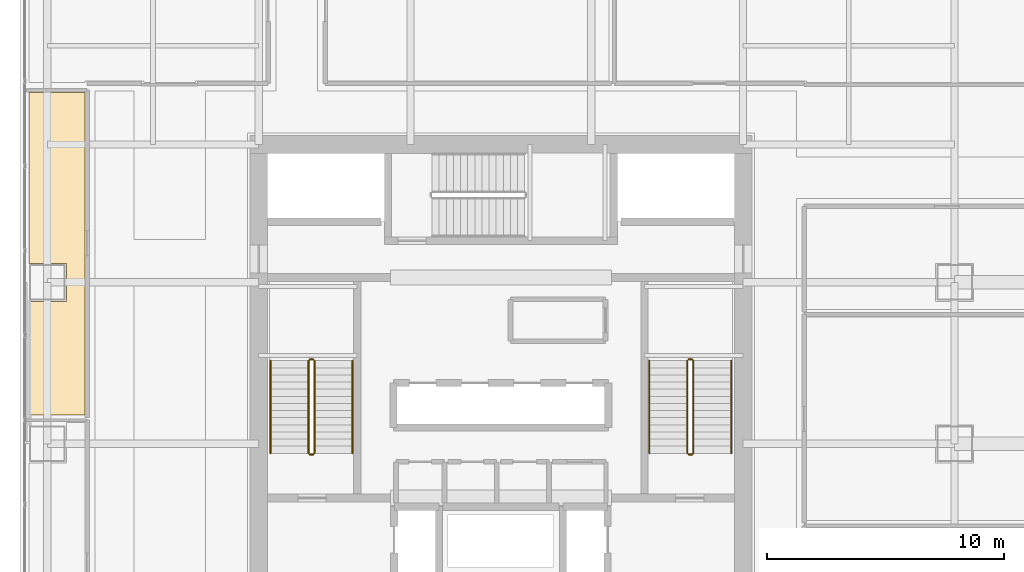
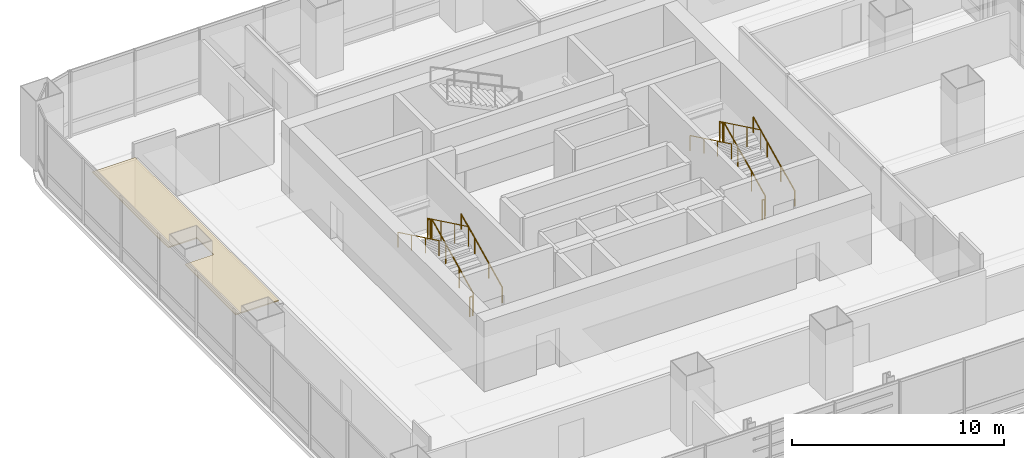
# One storey, part 32 of 35: 12 railings, 1 covering.
"""IFC4 building model written with IfcOpenShell, lengths in metres."""

from ifc_helpers import new_model, si_unit, direction, frame, origin, origin_2d, place, context, subcontext, project, spatial, polyline, circle, outline, extrude, material, layer, layer_set, type_object, element, save


model = new_model("IFC4")

# Units and contexts
model_context = context("Model", 3, precision=1e-05, world=origin(), true_north=direction((0.0, 1.0)))
body_context = subcontext(model_context, "Body", "Model", "MODEL_VIEW")
ifc_project = project(units=[si_unit("LENGTHUNIT", "METRE"), si_unit("AREAUNIT", "SQUARE_METRE"), si_unit("VOLUMEUNIT", "CUBIC_METRE"), si_unit("PLANEANGLEUNIT", "RADIAN"), si_unit("MASSUNIT", "GRAM", prefix="KILO")], contexts=[model_context])

# Site, building, storey
site_placement = place(None, origin())
site = spatial("IfcSite", under=ifc_project, at=site_placement, CompositionType="ELEMENT")
building_placement = place(site_placement, origin())
building = spatial("IfcBuilding", under=site, at=building_placement, Name="Punatoya Terracotta Tower", CompositionType="ELEMENT")
storey_placement = place(building_placement, frame((0.0, 0.0, 64.64990234375)))
storey = spatial("IfcBuildingStorey", under=building, at=storey_placement, Name="L14", CompositionType="ELEMENT", Elevation=64.64990234375)

# Covering
ifc_material_1 = material(Name="Acoustic Mineral Fibre Ceiling")
ifc_layer = layer(ifc_material_1, 0.06005859375)
ifc_layer_set = layer_set([ifc_layer], Name="Acoustic Mineral Fibre Ceiling")
covering_type = type_object("IfcCoveringType", Name="COV-CEIL-60", PredefinedType="CEILING", material=ifc_layer_set)
covering_placement = place(storey_placement, frame((0.0, 0.0, 3.2001953125)))
element("IfcCovering", 1, at=covering_placement, inside=storey, type_object=covering_type, Name="L14 Open-Plan Wellness Focus Room Acoustic Ceiling", PredefinedType="CEILING", context=body_context, shape_type="SweptSolid", body=[
    extrude(outline(polyline([(-19.8701171875, 2.60009765625), (-19.8701171875, -2.18994140625), (-17.52001953125, -2.18994140625), (-17.52001953125, 11.389892578125), (-19.8701171875, 11.389892578125), (-19.8701171875, 4.199951171875), (-18.300048828125, 4.199951171875), (-18.300048828125, 2.60009765625), (-19.8701171875, 2.60009765625)])), origin(), (0.0, 0.0, 1.0), 0.059814453125),
])

# Railings
ifc_material_2 = material(Name="Steel S355", Category="steel")
railing_type_1 = type_object("IfcRailingType", Name="RLG-GRD-1150", PredefinedType="GUARDRAIL", material=ifc_material_2)
railing_1_placement = place(storey_placement, frame((-7.85009765625, -3.800048828125, 0.144775390625)))
element("IfcRailing", 2, at=railing_1_placement, inside=storey, type_object=railing_type_1, Name="L14 ST-1 stair guard 1", PredefinedType="GUARDRAIL", context=body_context, shape_type="SweptSolid", body=[
    extrude(circle(Radius=0.02392578125, at=origin_2d()), frame((0.0, 0.0, 1.1259765625), z_axis=(0.0, 0.900773802044, 0.434288564841), x_axis=(-1.0, 0.0, 0.0)), (0.0, 0.0, 1.0), 4.329833984375),
    extrude(circle(Radius=0.02099609375, at=origin_2d()), origin(), (0.0, 0.0, 1.0), 1.101806640625),
    extrude(circle(Radius=0.02099609375, at=origin_2d()), frame((0.0, 1.300048828125, 0.626708984375)), (0.0, 0.0, 1.0), 1.101806640625),
    extrude(circle(Radius=0.02099609375, at=origin_2d()), frame((0.0, 2.60009765625, 1.253662109375)), (0.0, 0.0, 1.0), 1.101806640625),
    extrude(circle(Radius=0.02099609375, at=origin_2d()), frame((0.0, 3.900146484375, 1.88037109375)), (0.0, 0.0, 1.0), 1.101806640625),
])
railing_2_placement = place(storey_placement, frame((-7.89990234375, 0.14990234375, 2.025146484375)))
element("IfcRailing", 3, at=railing_2_placement, inside=storey, type_object=railing_type_1, Name="L14 ST-1 stair guard 2", PredefinedType="GUARDRAIL", context=body_context, shape_type="SweptSolid", body=[
    extrude(circle(Radius=0.02392578125, at=origin_2d()), frame((0.0, 0.0, 1.1259765625), z_axis=(-1.0, 0.0, 0.0), x_axis=(0.0, -1.0, 0.0)), (0.0, 0.0, 1.0), 0.150146484375),
    extrude(circle(Radius=0.02099609375, at=origin_2d()), origin(), (0.0, 0.0, 1.0), 1.101806640625),
    extrude(circle(Radius=0.02099609375, at=origin_2d()), frame((-0.150146484375, 0.0, 0.0)), (0.0, 0.0, 1.0), 1.101806640625),
])
railing_3_placement = place(storey_placement, frame((-8.10009765625, 0.10009765625, 2.169677734375)))
element("IfcRailing", 4, at=railing_3_placement, inside=storey, type_object=railing_type_1, Name="L14 ST-1 stair guard 3", PredefinedType="GUARDRAIL", context=body_context, shape_type="SweptSolid", body=[
    extrude(circle(Radius=0.02392578125, at=origin_2d()), frame((0.0, 0.0, 1.1259765625), z_axis=(0.0, -0.900773802044, 0.434288564841), x_axis=(1.0, 0.0, 0.0)), (0.0, 0.0, 1.0), 4.329833984375),
    extrude(circle(Radius=0.02099609375, at=origin_2d()), origin(), (0.0, 0.0, 1.0), 1.101806640625),
    extrude(circle(Radius=0.02099609375, at=origin_2d()), frame((0.0, -1.300048828125, 0.626708984375)), (0.0, 0.0, 1.0), 1.101806640625),
    extrude(circle(Radius=0.02099609375, at=origin_2d()), frame((0.0, -2.60009765625, 1.253662109375)), (0.0, 0.0, 1.0), 1.101806640625),
    extrude(circle(Radius=0.02099609375, at=origin_2d()), frame((0.0, -3.900146484375, 1.88037109375)), (0.0, 0.0, 1.0), 1.101806640625),
])
railing_4_placement = place(storey_placement, frame((-7.89990234375, -3.85009765625, 0.0)))
element("IfcRailing", 5, at=railing_4_placement, inside=storey, type_object=railing_type_1, Name="L14 ST-1 stair guard 4", PredefinedType="GUARDRAIL", context=body_context, shape_type="SweptSolid", body=[
    extrude(circle(Radius=0.02392578125, at=origin_2d()), frame((0.0, 0.0, 1.1259765625), z_axis=(-1.0, 0.0, 0.0), x_axis=(0.0, -1.0, 0.0)), (0.0, 0.0, 1.0), 0.150146484375),
    extrude(circle(Radius=0.02099609375, at=origin_2d()), origin(), (0.0, 0.0, 1.0), 1.101806640625),
    extrude(circle(Radius=0.02099609375, at=origin_2d()), frame((-0.150146484375, 0.0, 0.0)), (0.0, 0.0, 1.0), 1.101806640625),
])
railing_5_placement = place(storey_placement, frame((8.10009765625, -3.800048828125, 0.144775390625)))
element("IfcRailing", 6, at=railing_5_placement, inside=storey, type_object=railing_type_1, Name="L14 ST-2 stair guard 1", PredefinedType="GUARDRAIL", context=body_context, shape_type="SweptSolid", body=[
    extrude(circle(Radius=0.02392578125, at=origin_2d()), frame((0.0, 0.0, 1.1259765625), z_axis=(0.0, 0.900773802044, 0.434288564841), x_axis=(-1.0, 0.0, 0.0)), (0.0, 0.0, 1.0), 4.329833984375),
    extrude(circle(Radius=0.02099609375, at=origin_2d()), origin(), (0.0, 0.0, 1.0), 1.101806640625),
    extrude(circle(Radius=0.02099609375, at=origin_2d()), frame((0.0, 1.300048828125, 0.626708984375)), (0.0, 0.0, 1.0), 1.101806640625),
    extrude(circle(Radius=0.02099609375, at=origin_2d()), frame((0.0, 2.60009765625, 1.253662109375)), (0.0, 0.0, 1.0), 1.101806640625),
    extrude(circle(Radius=0.02099609375, at=origin_2d()), frame((0.0, 3.900146484375, 1.88037109375)), (0.0, 0.0, 1.0), 1.101806640625),
])
railing_6_placement = place(storey_placement, frame((8.050048828125, 0.14990234375, 2.025146484375)))
element("IfcRailing", 7, at=railing_6_placement, inside=storey, type_object=railing_type_1, Name="L14 ST-2 stair guard 2", PredefinedType="GUARDRAIL", context=body_context, shape_type="SweptSolid", body=[
    extrude(circle(Radius=0.02392578125, at=origin_2d()), frame((0.0, 0.0, 1.1259765625), z_axis=(-1.0, 0.0, 0.0), x_axis=(0.0, -1.0, 0.0)), (0.0, 0.0, 1.0), 0.150146484375),
    extrude(circle(Radius=0.02099609375, at=origin_2d()), origin(), (0.0, 0.0, 1.0), 1.101806640625),
    extrude(circle(Radius=0.02099609375, at=origin_2d()), frame((-0.150146484375, 0.0, 0.0)), (0.0, 0.0, 1.0), 1.101806640625),
])
railing_7_placement = place(storey_placement, frame((7.85009765625, 0.10009765625, 2.169677734375)))
element("IfcRailing", 8, at=railing_7_placement, inside=storey, type_object=railing_type_1, Name="L14 ST-2 stair guard 3", PredefinedType="GUARDRAIL", context=body_context, shape_type="SweptSolid", body=[
    extrude(circle(Radius=0.02392578125, at=origin_2d()), frame((0.0, 0.0, 1.1259765625), z_axis=(0.0, -0.900773802044, 0.434288564841), x_axis=(1.0, 0.0, 0.0)), (0.0, 0.0, 1.0), 4.329833984375),
    extrude(circle(Radius=0.02099609375, at=origin_2d()), origin(), (0.0, 0.0, 1.0), 1.101806640625),
    extrude(circle(Radius=0.02099609375, at=origin_2d()), frame((0.0, -1.300048828125, 0.626708984375)), (0.0, 0.0, 1.0), 1.101806640625),
    extrude(circle(Radius=0.02099609375, at=origin_2d()), frame((0.0, -2.60009765625, 1.253662109375)), (0.0, 0.0, 1.0), 1.101806640625),
    extrude(circle(Radius=0.02099609375, at=origin_2d()), frame((0.0, -3.900146484375, 1.88037109375)), (0.0, 0.0, 1.0), 1.101806640625),
])
railing_8_placement = place(storey_placement, frame((8.050048828125, -3.85009765625, 0.0)))
element("IfcRailing", 9, at=railing_8_placement, inside=storey, type_object=railing_type_1, Name="L14 ST-2 stair guard 4", PredefinedType="GUARDRAIL", context=body_context, shape_type="SweptSolid", body=[
    extrude(circle(Radius=0.02392578125, at=origin_2d()), frame((0.0, 0.0, 1.1259765625), z_axis=(-1.0, 0.0, 0.0), x_axis=(0.0, -1.0, 0.0)), (0.0, 0.0, 1.0), 0.150146484375),
    extrude(circle(Radius=0.02099609375, at=origin_2d()), origin(), (0.0, 0.0, 1.0), 1.101806640625),
    extrude(circle(Radius=0.02099609375, at=origin_2d()), frame((-0.150146484375, 0.0, 0.0)), (0.0, 0.0, 1.0), 1.101806640625),
])
railing_type_2 = type_object("IfcRailingType", Name="RLG-HND-900", PredefinedType="HANDRAIL", material=ifc_material_2)
railing_9_placement = place(storey_placement, frame((-6.25, -3.800048828125, 0.144775390625)))
element("IfcRailing", 10, at=railing_9_placement, inside=storey, type_object=railing_type_2, Name="L14 ST-1 stair handrail 1", PredefinedType="HANDRAIL", context=body_context, shape_type="SweptSolid", body=[
    extrude(circle(Radius=0.02392578125, at=origin_2d()), frame((0.0, 0.0, 0.8759765625), z_axis=(0.0, 0.900773802044, 0.434288564841), x_axis=(-1.0, 0.0, 0.0)), (0.0, 0.0, 1.0), 4.329833984375),
    extrude(circle(Radius=0.02099609375, at=origin_2d()), origin(), (0.0, 0.0, 1.0), 0.851806640625),
    extrude(circle(Radius=0.02099609375, at=origin_2d()), frame((0.0, 1.300048828125, 0.626708984375)), (0.0, 0.0, 1.0), 0.851806640625),
    extrude(circle(Radius=0.02099609375, at=origin_2d()), frame((0.0, 2.60009765625, 1.253662109375)), (0.0, 0.0, 1.0), 0.851806640625),
    extrude(circle(Radius=0.02099609375, at=origin_2d()), frame((0.0, 3.900146484375, 1.88037109375)), (0.0, 0.0, 1.0), 0.851806640625),
])
railing_10_placement = place(storey_placement, frame((-9.699951171875, 0.10009765625, 2.169677734375)))
element("IfcRailing", 11, at=railing_10_placement, inside=storey, type_object=railing_type_2, Name="L14 ST-1 stair handrail 2", PredefinedType="HANDRAIL", context=body_context, shape_type="SweptSolid", body=[
    extrude(circle(Radius=0.02392578125, at=origin_2d()), frame((0.0, 0.0, 0.8759765625), z_axis=(0.0, -0.900773802044, 0.434288564841), x_axis=(1.0, 0.0, 0.0)), (0.0, 0.0, 1.0), 4.329833984375),
    extrude(circle(Radius=0.02099609375, at=origin_2d()), origin(), (0.0, 0.0, 1.0), 0.851806640625),
    extrude(circle(Radius=0.02099609375, at=origin_2d()), frame((0.0, -1.300048828125, 0.626708984375)), (0.0, 0.0, 1.0), 0.851806640625),
    extrude(circle(Radius=0.02099609375, at=origin_2d()), frame((0.0, -2.60009765625, 1.253662109375)), (0.0, 0.0, 1.0), 0.851806640625),
    extrude(circle(Radius=0.02099609375, at=origin_2d()), frame((0.0, -3.900146484375, 1.88037109375)), (0.0, 0.0, 1.0), 0.851806640625),
])
railing_11_placement = place(storey_placement, frame((9.699951171875, -3.800048828125, 0.144775390625)))
element("IfcRailing", 12, at=railing_11_placement, inside=storey, type_object=railing_type_2, Name="L14 ST-2 stair handrail 1", PredefinedType="HANDRAIL", context=body_context, shape_type="SweptSolid", body=[
    extrude(circle(Radius=0.02392578125, at=origin_2d()), frame((0.0, 0.0, 0.8759765625), z_axis=(0.0, 0.900773802044, 0.434288564841), x_axis=(-1.0, 0.0, 0.0)), (0.0, 0.0, 1.0), 4.329833984375),
    extrude(circle(Radius=0.02099609375, at=origin_2d()), origin(), (0.0, 0.0, 1.0), 0.851806640625),
    extrude(circle(Radius=0.02099609375, at=origin_2d()), frame((0.0, 1.300048828125, 0.626708984375)), (0.0, 0.0, 1.0), 0.851806640625),
    extrude(circle(Radius=0.02099609375, at=origin_2d()), frame((0.0, 2.60009765625, 1.253662109375)), (0.0, 0.0, 1.0), 0.851806640625),
    extrude(circle(Radius=0.02099609375, at=origin_2d()), frame((0.0, 3.900146484375, 1.88037109375)), (0.0, 0.0, 1.0), 0.851806640625),
])
railing_12_placement = place(storey_placement, frame((6.25, 0.10009765625, 2.169677734375)))
element("IfcRailing", 13, at=railing_12_placement, inside=storey, type_object=railing_type_2, Name="L14 ST-2 stair handrail 2", PredefinedType="HANDRAIL", context=body_context, shape_type="SweptSolid", body=[
    extrude(circle(Radius=0.02392578125, at=origin_2d()), frame((0.0, 0.0, 0.8759765625), z_axis=(0.0, -0.900773802044, 0.434288564841), x_axis=(1.0, 0.0, 0.0)), (0.0, 0.0, 1.0), 4.329833984375),
    extrude(circle(Radius=0.02099609375, at=origin_2d()), origin(), (0.0, 0.0, 1.0), 0.851806640625),
    extrude(circle(Radius=0.02099609375, at=origin_2d()), frame((0.0, -1.300048828125, 0.626708984375)), (0.0, 0.0, 1.0), 0.851806640625),
    extrude(circle(Radius=0.02099609375, at=origin_2d()), frame((0.0, -2.60009765625, 1.253662109375)), (0.0, 0.0, 1.0), 0.851806640625),
    extrude(circle(Radius=0.02099609375, at=origin_2d()), frame((0.0, -3.900146484375, 1.88037109375)), (0.0, 0.0, 1.0), 0.851806640625),
])

save(model, "model.ifc")
